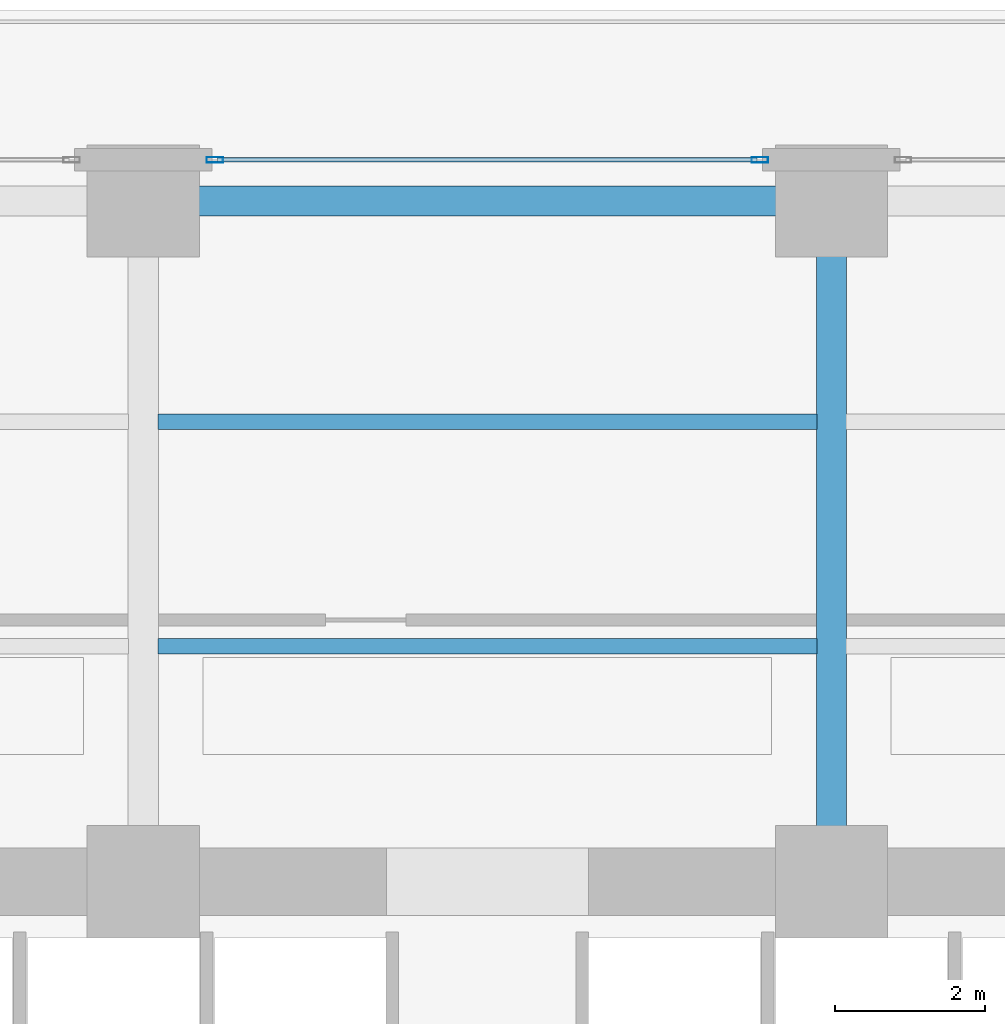
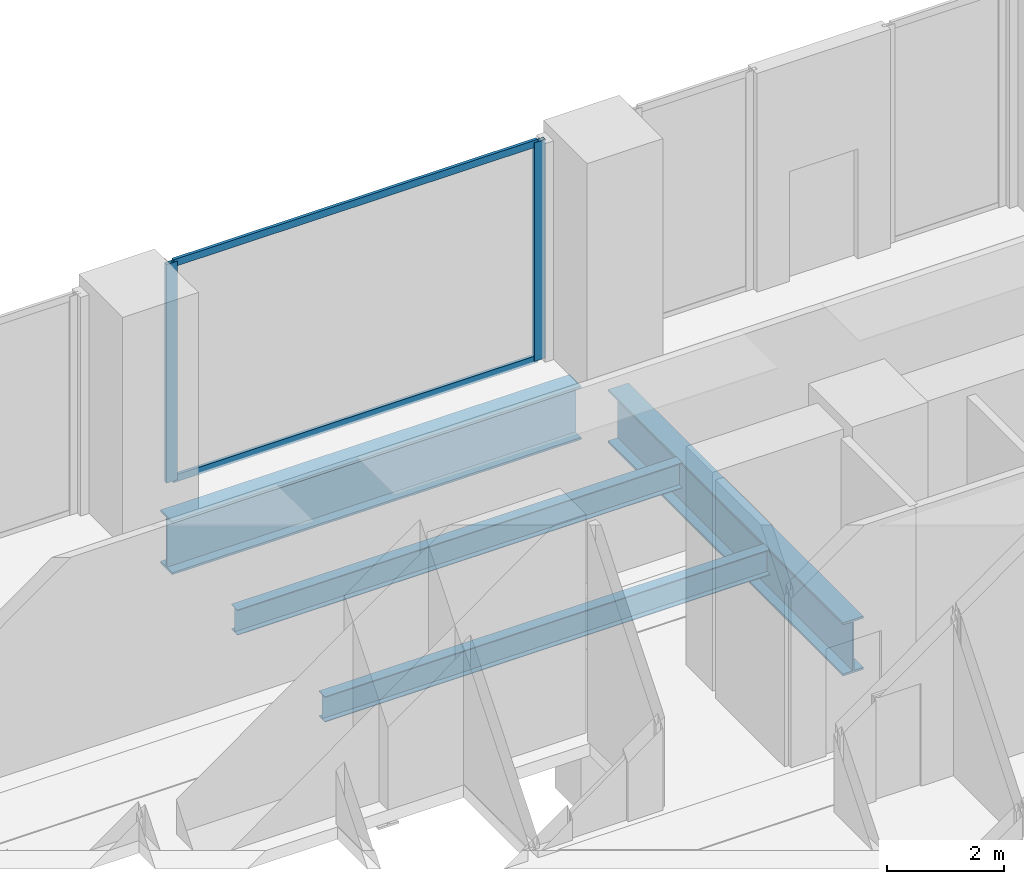
# One storey, part 15 of 28: 4 beams, 4 members, 1 element without a shape of its own.
"""IFC4 building model written with IfcOpenShell, lengths in metres."""

from ifc_helpers import new_model, si_unit, direction, frame, origin, origin_2d, place, context, subcontext, project, spatial, hollow_rectangle, i_section, extrude, material, layer, layer_set, material_profile, profile_set, type_object, element, aggregate, save


model = new_model("IFC4")

# Units and contexts
model_context = context("Model", 3, precision=1e-05, world=origin(), true_north=direction((0.0, 1.0)))
body_context = subcontext(model_context, "Body", "Model", "MODEL_VIEW")
ifc_project = project(units=[si_unit("LENGTHUNIT", "METRE"), si_unit("AREAUNIT", "SQUARE_METRE"), si_unit("VOLUMEUNIT", "CUBIC_METRE"), si_unit("PLANEANGLEUNIT", "RADIAN"), si_unit("MASSUNIT", "GRAM", prefix="KILO")], contexts=[model_context])

# Site, building, storey
site_placement = place(None, origin())
site = spatial("IfcSite", under=ifc_project, at=site_placement, CompositionType="ELEMENT")
building_placement = place(site_placement, origin())
building = spatial("IfcBuilding", under=site, at=building_placement, Name="Zuhayl Quay Hotel", CompositionType="ELEMENT")
storey_placement = place(building_placement, frame((0.0, 0.0, 22.800048828125)))
storey = spatial("IfcBuildingStorey", under=building, at=storey_placement, Name="L04", CompositionType="ELEMENT", Elevation=22.800048828125)

# Beams
ifc_material_1 = material(Name="Steel ASTM A992 Grade 50", Category="steel")
ifc_material_profile_1 = material_profile(ifc_material_1, i_section(OverallWidth=0.208984375, OverallDepth=0.532958984375, WebThickness=0.01025390625, FlangeThickness=0.015625, at=origin_2d()), Name="W21X62")
ifc_profile_set_1 = profile_set([ifc_material_profile_1], Name="Steel ASTM A992 Grade 50")
beam_type_1 = type_object("IfcBeamType", Name="BM_J1_W21X62", PredefinedType="JOIST", material=ifc_profile_set_1)
for number, where, z_axis, x_axis, name in (
    (1, (-4.406005859375, 16.5, -0.526611328125), (1.0, 0.0, 0.0), (0.0, 1.0, 0.0), "L04 Floor Beam J_POD_L04_4_2"),
    (2, (-4.406005859375, 19.5, -0.526611328125), (1.0, 0.0, 0.0), (0.0, 1.0, 0.0), "L04 Floor Beam J_POD_L04_5_2"),
):
    element("IfcBeam", number, at=place(storey_placement, frame(where, z_axis=z_axis, x_axis=x_axis)), inside=storey, type_object=beam_type_1, Name=name, PredefinedType="JOIST", context=body_context, shape_type="SweptSolid", body=[
        extrude(i_section(OverallWidth=0.208984375, OverallDepth=0.532958984375, WebThickness=0.01025390625, FlangeThickness=0.015625, at=origin_2d()), origin(), (0.0, 0.0, 1.0), 8.81201171875),
    ])
ifc_material_2 = material(Name="Steel ASTM A913 Grade 65", Category="steel")
ifc_material_profile_2 = material_profile(ifc_material_2, i_section(OverallWidth=0.404052734375, OverallDepth=1.117919921875, WebThickness=0.026123046875, FlangeThickness=0.044921875, at=origin_2d()), Name="W44X335")
ifc_profile_set_2 = profile_set([ifc_material_profile_2], Name="Steel ASTM A913 Grade 65")
beam_type_2 = type_object("IfcBeamType", Name="BM_TG1_W44X335", PredefinedType="BEAM", material=ifc_profile_set_2)
beam_1_placement = place(storey_placement, frame((-4.050048828125, 22.449951171875, -0.819091796875), z_axis=(1.0, 0.0, 0.0), x_axis=(0.0, 1.0, 0.0)))
element("IfcBeam", 3, at=beam_1_placement, inside=storey, type_object=beam_type_2, Name="L04 Floor Beam PG_N_L04_3", PredefinedType="BEAM", context=body_context, shape_type="SweptSolid", body=[
    extrude(i_section(OverallWidth=0.404052734375, OverallDepth=1.117919921875, WebThickness=0.026123046875, FlangeThickness=0.044921875, at=origin_2d()), origin(), (0.0, 0.0, 1.0), 8.10009765625),
])
beam_2_placement = place(storey_placement, frame((4.60009765625, 13.8701171875, -0.819091796875), z_axis=(0.0, 1.0, 0.0), x_axis=(-1.0, 0.0, 0.0)))
element("IfcBeam", 4, at=beam_2_placement, inside=storey, type_object=beam_type_2, Name="L04 Floor Beam PG_NS3_L04_3", PredefinedType="BEAM", context=body_context, shape_type="SweptSolid", body=[
    extrude(i_section(OverallWidth=0.404052734375, OverallDepth=1.117919921875, WebThickness=0.026123046875, FlangeThickness=0.044921875, at=origin_2d()), origin(), (0.0, 0.0, 1.0), 8.059814453125),
])

# Curtain wall, members
ifc_material_3 = material(Name="Anodised Aluminium 6063-T6", Category="aluminium")
ifc_layer = layer(ifc_material_3, 0.199951171875, Name="Anodised Aluminium 6063-T6", Category="aluminium")
ifc_layer_set = layer_set([ifc_layer], Name="Anodised Aluminium 6063-T6")
curtain_wall_type = type_object("IfcCurtainWallType", Name="CW_SYS_POD", PredefinedType="USERDEFINED", material=ifc_layer_set)
curtain_wall_placement = place(storey_placement, origin())
curtain_wall = element("IfcCurtainWall", 5, at=curtain_wall_placement, inside=storey, type_object=curtain_wall_type, Name="L04 Curtain Wall ENV_L04_E05_CW5", ObjectType="UNITISED CURTAIN WALL", PredefinedType="USERDEFINED")
ifc_material_4 = material(Name="Black-anodised aluminium 6063-T6", Category="aluminium")
ifc_material_profile_3 = material_profile(ifc_material_4, hollow_rectangle(XDim=0.074951171875, YDim=0.219970703125, WallThickness=0.00390625, at=origin_2d()), Name="ALU220X75")
ifc_profile_set_3 = profile_set([ifc_material_profile_3], Name="Black-anodised aluminium 6063-T6")
member_type_1 = type_object("IfcMemberType", Name="MB_CW_MUL_220", PredefinedType="MULLION", material=ifc_profile_set_3)
member_1_placement = place(storey_placement, frame((-3.642578125, 23.0, 0.0), z_axis=(0.0, 0.0, 1.0), x_axis=(0.0, 1.0, 0.0)))
member_1 = element("IfcMember", 6, at=member_1_placement, type_object=member_type_1, Name="CW-POD mullion 1", PredefinedType="MULLION", context=body_context, shape_type="SweptSolid", body=[
    extrude(hollow_rectangle(XDim=0.074951171875, YDim=0.219970703125, WallThickness=0.00390625, at=origin_2d()), origin(), (0.0, 0.0, 1.0), 4.579833984375),
])
member_2_placement = place(storey_placement, frame((3.642578125, 23.0, 0.0), z_axis=(0.0, 0.0, 1.0), x_axis=(0.0, 1.0, 0.0)))
member_2 = element("IfcMember", 7, at=member_2_placement, type_object=member_type_1, Name="CW-POD mullion 2", PredefinedType="MULLION", context=body_context, shape_type="SweptSolid", body=[
    extrude(hollow_rectangle(XDim=0.074951171875, YDim=0.219970703125, WallThickness=0.00390625, at=origin_2d()), origin(), (0.0, 0.0, 1.0), 4.579833984375),
])
ifc_material_profile_4 = material_profile(ifc_material_4, hollow_rectangle(XDim=0.06005859375, YDim=0.14990234375, WallThickness=0.00341796875, at=origin_2d()), Name="ALU150X60")
ifc_profile_set_4 = profile_set([ifc_material_profile_4], Name="Black-anodised aluminium 6063-T6")
member_type_2 = type_object("IfcMemberType", Name="MB_CW_TRN_150", PredefinedType="USERDEFINED", material=ifc_profile_set_4)
member_3_placement = place(storey_placement, frame((-3.60498046875, 23.0, 0.030029296875), z_axis=(1.0, 0.0, 0.0), x_axis=(0.0, 1.0, 0.0)))
member_3 = element("IfcMember", 8, at=member_3_placement, type_object=member_type_2, Name="CW-POD transom 1.1", ObjectType="TRANSOM", PredefinedType="USERDEFINED", context=body_context, shape_type="SweptSolid", body=[
    extrude(hollow_rectangle(XDim=0.06005859375, YDim=0.14990234375, WallThickness=0.00341796875, at=origin_2d()), origin(), (0.0, 0.0, 1.0), 7.2099609375),
])
member_4_placement = place(storey_placement, frame((-3.60498046875, 23.0, 4.550048828125), z_axis=(1.0, 0.0, 0.0), x_axis=(0.0, 1.0, 0.0)))
member_4 = element("IfcMember", 9, at=member_4_placement, type_object=member_type_2, Name="CW-POD transom 1.2", ObjectType="TRANSOM", PredefinedType="USERDEFINED", context=body_context, shape_type="SweptSolid", body=[
    extrude(hollow_rectangle(XDim=0.06005859375, YDim=0.14990234375, WallThickness=0.00341796875, at=origin_2d()), origin(), (0.0, 0.0, 1.0), 7.2099609375),
])
aggregate(curtain_wall, [member_1, member_2, member_3, member_4])

save(model, "model.ifc")
